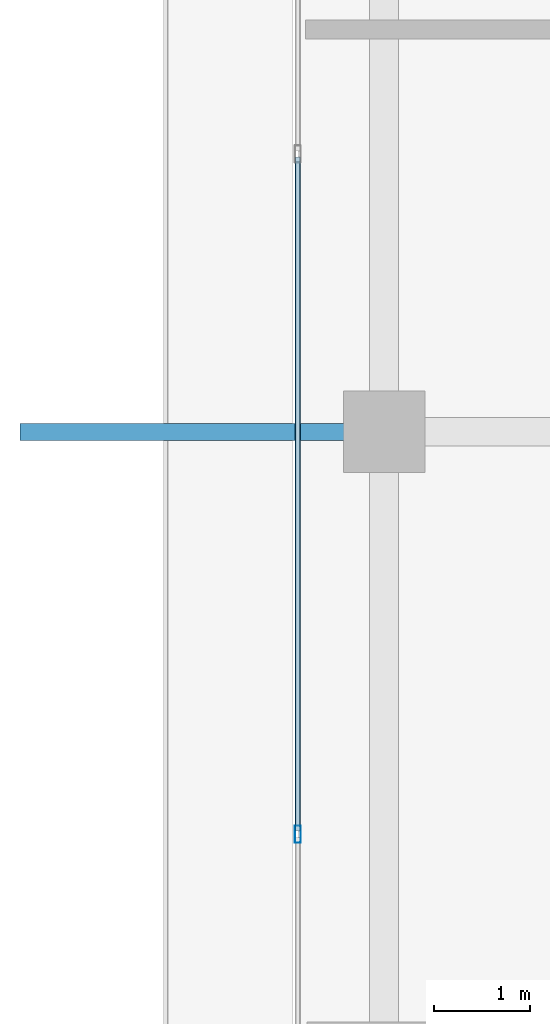
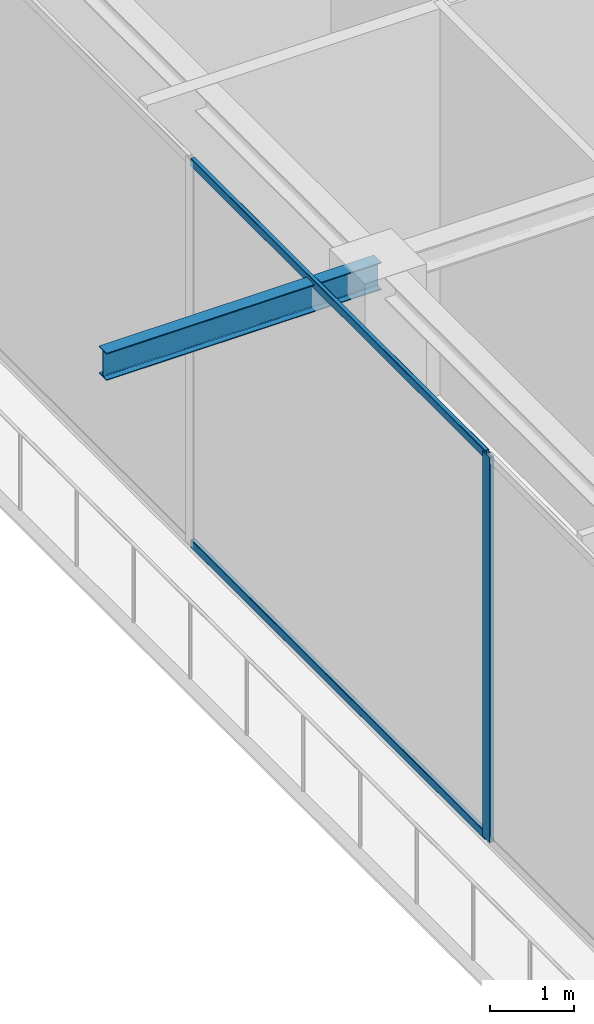
# One storey, part 9 of 40: 3 members, 1 beam, 1 element without a shape of its own.
"""IFC4 building model written with IfcOpenShell, lengths in metres."""

import ifcopenshell
import ifcopenshell.guid

model = None  # the IFC model being written
_history = None  # IfcOwnerHistory: only IFC2X3 demands one
_inside = {}  # id of a spatial element -> (the spatial element, [elements in it])
_under = {}  # id of a project, library or spatial element -> (it, [spatial elements below it])
_declared = {}  # id of a project -> (the project, [libraries it declares])
_typed = {}  # id of a type object -> (the type object, [elements of that type])
_made_of = {}  # id of a material, layer set ... -> (it, [elements and type objects made of it])


def new_model(schema):
    """Start an empty IFC model of exactly this schema.

    Asked for "IFC4X3", IfcOpenShell would pick the latest addendum, in which some entities
    have other attributes; the version numbers below select the first issue.
    IFC2X3 requires an IfcOwnerHistory on every rooted entity: one is made here for all.
    """
    global model, _history
    if schema == "IFC4X3":
        model = ifcopenshell.file(schema_version=(4, 3, 0, 0))
    else:
        model = ifcopenshell.file(schema=schema)
    _inside.clear()
    _under.clear()
    _declared.clear()
    _typed.clear()
    _made_of.clear()
    _history = None
    if model.schema == "IFC2X3":
        org = make("IfcOrganization", Name="unknown")
        user = make(
            "IfcPersonAndOrganization",
            ThePerson=make("IfcPerson", FamilyName="unknown"),
            TheOrganization=org,
        )
        app = make(
            "IfcApplication",
            ApplicationDeveloper=org,
            Version="unknown",
            ApplicationFullName="unknown",
            ApplicationIdentifier="unknown",
        )
        _history = make(
            "IfcOwnerHistory",
            OwningUser=user,
            OwningApplication=app,
            ChangeAction="ADDED",
            CreationDate=0,
        )
    return model


def make(cls, **values):
    """One entity of the class cls with the attributes given. An attribute that is None is left unset."""
    return model.create_entity(
        cls, **{name: value for name, value in values.items() if value is not None}
    )


def rooted(cls, **values):
    """An entity with a GlobalId (a new one), such as an element, a storey or a relation."""
    return make(cls, GlobalId=ifcopenshell.guid.new(), OwnerHistory=_history, **values)


def si_unit(unit_type, name, prefix=None):
    """IfcSIUnit, for example si_unit("LENGTHUNIT", "METRE", prefix="MILLI")."""
    return make("IfcSIUnit", UnitType=unit_type, Prefix=prefix, Name=name)


def assignment(units):
    """IfcUnitAssignment: the units of a project."""
    return None if units is None else make("IfcUnitAssignment", Units=units)


def point(xyz):
    """IfcCartesianPoint."""
    return None if xyz is None else make("IfcCartesianPoint", Coordinates=xyz)


def direction(xyz):
    """IfcDirection."""
    return None if xyz is None else make("IfcDirection", DirectionRatios=xyz)


def frame(location, z_axis=None, x_axis=None):
    """IfcAxis2Placement3D, a coordinate frame: its origin and axes. An axis left out is left unset."""
    return make(
        "IfcAxis2Placement3D",
        Location=point(location),
        Axis=direction(z_axis),
        RefDirection=direction(x_axis),
    )


def frame_2d(location, x_axis=None):
    """IfcAxis2Placement2D, a coordinate frame in the plane: its origin and x axis."""
    return make(
        "IfcAxis2Placement2D", Location=point(location), RefDirection=direction(x_axis)
    )


def origin():
    """The frame at (0, 0, 0) with its axes left unset."""
    return frame((0.0, 0.0, 0.0))


def origin_2d():
    """The frame at (0, 0) in the plane with its x axis left unset."""
    return frame_2d((0.0, 0.0))


def place(relative_to, where):
    """IfcLocalPlacement: puts the frame where relative to a parent placement (None: the world)."""
    return make(
        "IfcLocalPlacement", PlacementRelTo=relative_to, RelativePlacement=where
    )


def context(
    kind, dimensions, precision=None, world=None, true_north=None, identifier=None
):
    """IfcGeometricRepresentationContext, for example the 3D "Model" context."""
    return make(
        "IfcGeometricRepresentationContext",
        ContextIdentifier=identifier,
        ContextType=kind,
        CoordinateSpaceDimension=dimensions,
        Precision=precision,
        WorldCoordinateSystem=world,
        TrueNorth=true_north,
    )


def subcontext(parent, identifier, kind, view, scale=None):
    """IfcGeometricRepresentationSubContext, for example "Body" below "Model"."""
    return make(
        "IfcGeometricRepresentationSubContext",
        ContextIdentifier=identifier,
        ContextType=kind,
        ParentContext=parent,
        TargetScale=scale,
        TargetView=view,
    )


def project(units=None, contexts=None):
    """IfcProject with its units and contexts."""
    return rooted(
        "IfcProject",
        Name="project",
        RepresentationContexts=contexts,
        UnitsInContext=assignment(units),
    )


def spatial(cls, under=None, at=None, **own):
    """A site, building, storey or space (cls), placed at a placement, below another one or the project."""
    s = rooted(cls, ObjectPlacement=at, **own)
    if under is not None:
        _under.setdefault(under.id(), (under, []))[1].append(s)
    return s


def profile(cls, at=None, kind="AREA", **sizes):
    """A parametric profile (cls). Its sizes go by their IFC names, for example OverallWidth=200.0."""
    return make(cls, ProfileType=kind, Position=at, **sizes)


def hollow_rectangle(**sizes):
    """IfcRectangleHollowProfileDef."""
    return profile("IfcRectangleHollowProfileDef", **sizes)


def i_section(**sizes):
    """IfcIShapeProfileDef."""
    return profile("IfcIShapeProfileDef", **sizes)


def extrude(swept, where, along, depth):
    """IfcExtrudedAreaSolid: the profile swept, set in the frame where, extruded along a direction by depth."""
    return make(
        "IfcExtrudedAreaSolid",
        SweptArea=swept,
        Position=where,
        ExtrudedDirection=direction(along),
        Depth=depth,
    )


def shape(context_of_items, identifier, shape_type, items):
    """IfcShapeRepresentation: the items that make up one representation, for example the "Body"."""
    return make(
        "IfcShapeRepresentation",
        ContextOfItems=context_of_items,
        RepresentationIdentifier=identifier,
        RepresentationType=shape_type,
        Items=items,
    )


def source(mapping_origin, context_of_items, identifier, shape_type, items):
    """IfcRepresentationMap: a shape defined once, which mapped items show again and again."""
    return make(
        "IfcRepresentationMap",
        MappingOrigin=mapping_origin,
        MappedRepresentation=shape(context_of_items, identifier, shape_type, items),
    )


def transform(
    local_origin,
    x_axis=None,
    y_axis=None,
    z_axis=None,
    scale=None,
    scale2=None,
    scale3=None,
    uniform=True,
):
    """IfcCartesianTransformationOperator3D, or its non-uniform kind. x_axis, y_axis, z_axis: its Axis1, 2, 3."""
    if uniform:
        return make(
            "IfcCartesianTransformationOperator3D",
            Axis1=direction(x_axis),
            Axis2=direction(y_axis),
            LocalOrigin=point(local_origin),
            Scale=scale,
            Axis3=direction(z_axis),
        )
    return make(
        "IfcCartesianTransformationOperator3DnonUniform",
        Axis1=direction(x_axis),
        Axis2=direction(y_axis),
        LocalOrigin=point(local_origin),
        Scale=scale,
        Axis3=direction(z_axis),
        Scale2=scale2,
        Scale3=scale3,
    )


def mapped(mapping_source, mapping_target):
    """IfcMappedItem: shows the shape of a source again, moved by a transform."""
    return make(
        "IfcMappedItem", MappingSource=mapping_source, MappingTarget=mapping_target
    )


def material(Name=None, Category=None):
    """IfcMaterial."""
    return make("IfcMaterial", Name=Name, Category=Category)


def layer(
    of_material, thickness, ventilated=None, Name=None, Category=None, Priority=None
):
    """IfcMaterialLayer: one layer of a wall or slab, of a material (None: an air gap)."""
    return make(
        "IfcMaterialLayer",
        Material=of_material,
        LayerThickness=thickness,
        IsVentilated=ventilated,
        Name=Name,
        Category=Category,
        Priority=Priority,
    )


def layer_set(layers, Name=None):
    """IfcMaterialLayerSet."""
    return make("IfcMaterialLayerSet", MaterialLayers=layers, LayerSetName=Name)


def material_profile(
    of_material, cross_section, Name=None, Category=None, Priority=None
):
    """IfcMaterialProfile: a cross section and its material."""
    return make(
        "IfcMaterialProfile",
        Name=Name,
        Material=of_material,
        Profile=cross_section,
        Priority=Priority,
        Category=Category,
    )


def profile_set(profiles, Name=None, composite=None):
    """IfcMaterialProfileSet."""
    return make(
        "IfcMaterialProfileSet",
        Name=Name,
        MaterialProfiles=profiles,
        CompositeProfile=composite,
    )


def made_of(thing, what):
    """Note that an element or type object is made of a material, layer set ...; save() writes the relation."""
    if what is not None:
        _made_of.setdefault(what.id(), (what, []))[1].append(thing)
    return thing


def type_object(cls, material=None, **own):
    """A type object (cls), such as IfcWallType, which elements share."""
    return made_of(rooted(cls, **own), material)


def element(
    cls,
    number,
    at=None,
    inside=None,
    cuts=None,
    type_object=None,
    material=None,
    context=None,
    identifier="Body",
    shape_type=None,
    held_by="IfcProductDefinitionShape",
    body=None,
    shapes=None,
    **own,
):
    """One element of the class cls, such as IfcWall. Its Tag is "e" and its number.

    at: its placement. inside: the storey or other place that contains it. cuts: it is an
    opening in that element (IfcRelVoidsElement). A single representation is given by context,
    identifier, shape_type and body (its items); several are given by shapes. held_by: the class
    of the entity that holds the representations. save() writes the other relations.
    """
    e = rooted(cls, Tag="e%d" % number, ObjectPlacement=at, **own)
    if body is not None:
        shapes = [shape(context, identifier, shape_type, body)]
    if shapes is not None:
        e.Representation = make(held_by, Representations=shapes)
    if inside is not None:
        _inside.setdefault(inside.id(), (inside, []))[1].append(e)
    if cuts is not None:
        rooted(
            "IfcRelVoidsElement", RelatingBuildingElement=cuts, RelatedOpeningElement=e
        )
    if type_object is not None:
        _typed.setdefault(type_object.id(), (type_object, []))[1].append(e)
    return made_of(e, material)


def aggregate(whole, parts):
    """IfcRelAggregates: a whole, such as a stair, and the parts it consists of."""
    return rooted("IfcRelAggregates", RelatingObject=whole, RelatedObjects=parts)


def save(model, path):
    """Write the relations noted so far, then the file.

    IfcRelAggregates (storeys below a building ...), IfcRelContainedInSpatialStructure (elements
    in a storey), IfcRelDefinesByType, IfcRelAssociatesMaterial and IfcRelDeclares: one each for
    every whole, place, type object, material and project.
    """
    for whole, parts in _under.values():
        aggregate(whole, parts)
    for where, things in _inside.values():
        rooted(
            "IfcRelContainedInSpatialStructure",
            RelatedElements=things,
            RelatingStructure=where,
        )
    for kind, things in _typed.values():
        rooted("IfcRelDefinesByType", RelatedObjects=things, RelatingType=kind)
    for what, things in _made_of.values():
        rooted("IfcRelAssociatesMaterial", RelatedObjects=things, RelatingMaterial=what)
    for by, libraries in _declared.values():
        rooted("IfcRelDeclares", RelatingContext=by, RelatedDefinitions=libraries)
    model.write(path)


model = new_model("IFC4")

# Units and contexts
model_context = context("Model", 3, precision=1e-05, world=origin(), true_north=direction((0.0, 1.0)))
body_context = subcontext(model_context, "Body", "Model", "MODEL_VIEW")
ifc_project = project(units=[si_unit("LENGTHUNIT", "METRE"), si_unit("AREAUNIT", "SQUARE_METRE"), si_unit("VOLUMEUNIT", "CUBIC_METRE"), si_unit("PLANEANGLEUNIT", "RADIAN"), si_unit("MASSUNIT", "GRAM", prefix="KILO")], contexts=[model_context])

# Site, building, storey
site_placement = place(None, origin())
site = spatial("IfcSite", under=ifc_project, at=site_placement, CompositionType="ELEMENT")
building_placement = place(site_placement, origin())
building = spatial("IfcBuilding", under=site, at=building_placement, Name="Serunith Strait Residences", CompositionType="ELEMENT")
storey_placement = place(building_placement, frame((0.0, 0.0, 347.949951171875)))
storey = spatial("IfcBuildingStorey", under=building, at=storey_placement, Name="L86", CompositionType="ELEMENT", Elevation=347.949951171875)

# Beam
ifc_material_1 = material(Name="Steel S355J2", Category="steel")
ifc_material_profile_1 = material_profile(ifc_material_1, i_section(OverallWidth=0.179931640625, OverallDepth=0.39990234375, WebThickness=0.008544921875, FlangeThickness=0.013427734375, FilletRadius=0.02099609375, at=origin_2d()), Name="IPE 400")
ifc_profile_set_1 = profile_set([ifc_material_profile_1], Name="Steel S355J2")
beam_type = type_object("IfcBeamType", Name="BM-IPE400", PredefinedType="JOIST", material=ifc_profile_set_1)
shared_shape_1 = source(origin(), body_context, "Body", "SweptSolid", [
    extrude(i_section(OverallWidth=0.179931640625, OverallDepth=0.39990234375, WebThickness=0.008544921875, FlangeThickness=0.013427734375, FilletRadius=0.02099609375, at=origin_2d()), origin(), (0.0, 0.0, 1.0), 3.800048828125),
])
beam_placement = place(storey_placement, frame((11.699951171875, 29.39990234375, 5.406982421875), z_axis=(-1.0, 0.0, 0.0), x_axis=(0.0, -1.0, 0.0)))
element("IfcBeam", 1, at=beam_placement, inside=storey, type_object=beam_type, Name="L87 Cantilevered Balcony Rib TC-W3", PredefinedType="JOIST", context=body_context, shape_type="MappedRepresentation", body=[
    mapped(shared_shape_1, transform((0.0, 0.0, 0.0), scale=1.0)),
])

# Curtain wall, members
ifc_material_2 = material(Name="Brushed Stainless-Silver Aluminium", Category="aluminium")
ifc_layer = layer(ifc_material_2, 0.199951171875, Name="Brushed Stainless-Silver Aluminium")
ifc_layer_set = layer_set([ifc_layer], Name="Brushed Stainless-Silver Aluminium")
curtain_wall_type = type_object("IfcCurtainWallType", Name="CW-SYS5", PredefinedType="NOTDEFINED", material=ifc_layer_set)
curtain_wall_placement = place(storey_placement, origin())
curtain_wall = element("IfcCurtainWall", 2, at=curtain_wall_placement, inside=storey, type_object=curtain_wall_type, Name="L86 W Unitised Fritted Curtain Wall", PredefinedType="NOTDEFINED")
ifc_material_profile_2 = material_profile(ifc_material_2, hollow_rectangle(XDim=0.06005859375, YDim=0.1201171875, WallThickness=0.00341796875, InnerFilletRadius=0.00537109375, OuterFilletRadius=0.0087890625, at=origin_2d()), Name="ALU 120x60x3.5")
ifc_profile_set_2 = profile_set([ifc_material_profile_2], Name="Brushed Stainless-Silver Aluminium")
member_type_1 = type_object("IfcMemberType", Name="CW-SYS5-TRAN", PredefinedType="USERDEFINED", material=ifc_profile_set_2)
shared_shape_2 = source(origin(), body_context, "Body", "SweptSolid", [
    extrude(hollow_rectangle(XDim=0.06005859375, YDim=0.1201171875, WallThickness=0.00341796875, InnerFilletRadius=0.00537109375, OuterFilletRadius=0.0087890625, at=origin_2d()), origin(), (0.0, 0.0, 1.0), 7.03515625),
])
member_1_placement = place(storey_placement, frame((10.800048828125, 32.267578125, 0.030029296875), z_axis=(0.0, -1.0, 0.0), x_axis=(1.0, 0.0, 0.0)))
member_1 = element("IfcMember", 3, at=member_1_placement, type_object=member_type_1, Name="CW-5 transom 2.1", ObjectType="TRANSOM", PredefinedType="USERDEFINED", context=body_context, shape_type="MappedRepresentation", body=[
    mapped(shared_shape_2, transform((0.0, 0.0, 0.0), scale=1.0)),
])
member_2_placement = place(storey_placement, frame((10.800048828125, 32.267578125, 5.594970703125), z_axis=(0.0, -1.0, 0.0), x_axis=(1.0, 0.0, 0.0)))
member_2 = element("IfcMember", 4, at=member_2_placement, type_object=member_type_1, Name="CW-5 transom 2.2", ObjectType="TRANSOM", PredefinedType="USERDEFINED", context=body_context, shape_type="MappedRepresentation", body=[
    mapped(shared_shape_2, transform((0.0, 0.0, 0.0), scale=1.0)),
])
ifc_material_profile_3 = material_profile(ifc_material_2, hollow_rectangle(XDim=0.06494140625, YDim=0.179931640625, WallThickness=0.00341796875, InnerFilletRadius=0.00537109375, OuterFilletRadius=0.0087890625, at=origin_2d()), Name="ALU 180x65x3.5")
ifc_profile_set_3 = profile_set([ifc_material_profile_3], Name="Brushed Stainless-Silver Aluminium")
member_type_2 = type_object("IfcMemberType", Name="CW-SYS5-MULL", PredefinedType="MULLION", material=ifc_profile_set_3)
shared_shape_3 = source(origin(), body_context, "Body", "SweptSolid", [
    extrude(hollow_rectangle(XDim=0.06494140625, YDim=0.179931640625, WallThickness=0.00341796875, InnerFilletRadius=0.00537109375, OuterFilletRadius=0.0087890625, at=origin_2d()), origin(), (0.0, 0.0, 1.0), 5.625),
])
member_3_placement = place(storey_placement, frame((10.800048828125, 25.199951171875, 0.0), z_axis=(0.0, 0.0, 1.0), x_axis=(1.0, 0.0, 0.0)))
member_3 = element("IfcMember", 5, at=member_3_placement, type_object=member_type_2, Name="CW-5 mullion 3", PredefinedType="MULLION", context=body_context, shape_type="MappedRepresentation", body=[
    mapped(shared_shape_3, transform((0.0, 0.0, 0.0), scale=1.0)),
])
aggregate(curtain_wall, [member_3, member_1, member_2])

save(model, "model.ifc")
